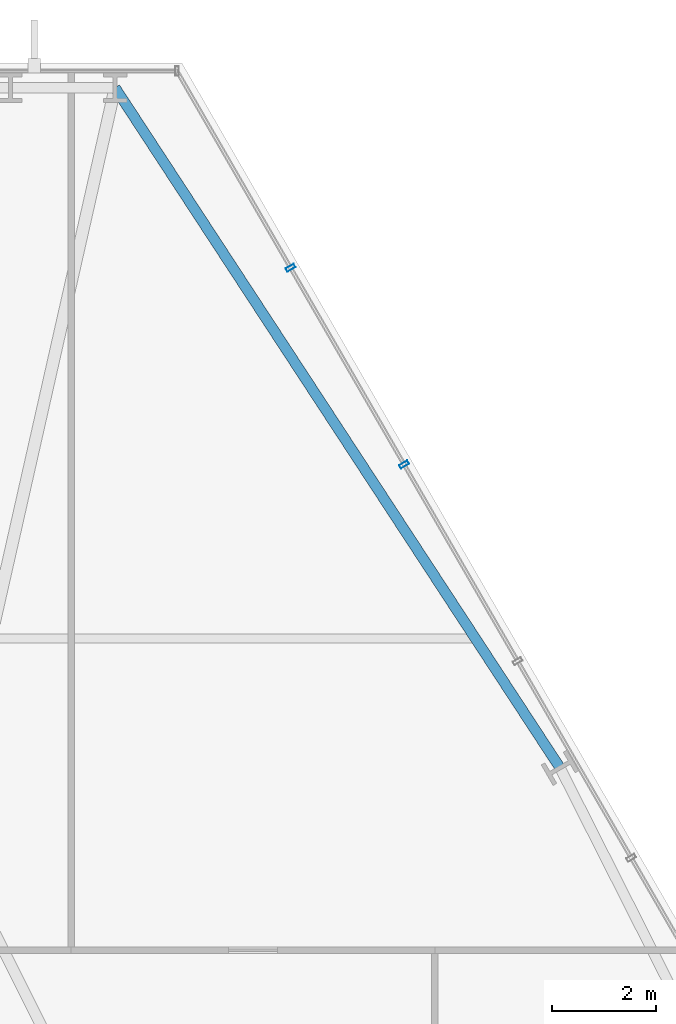
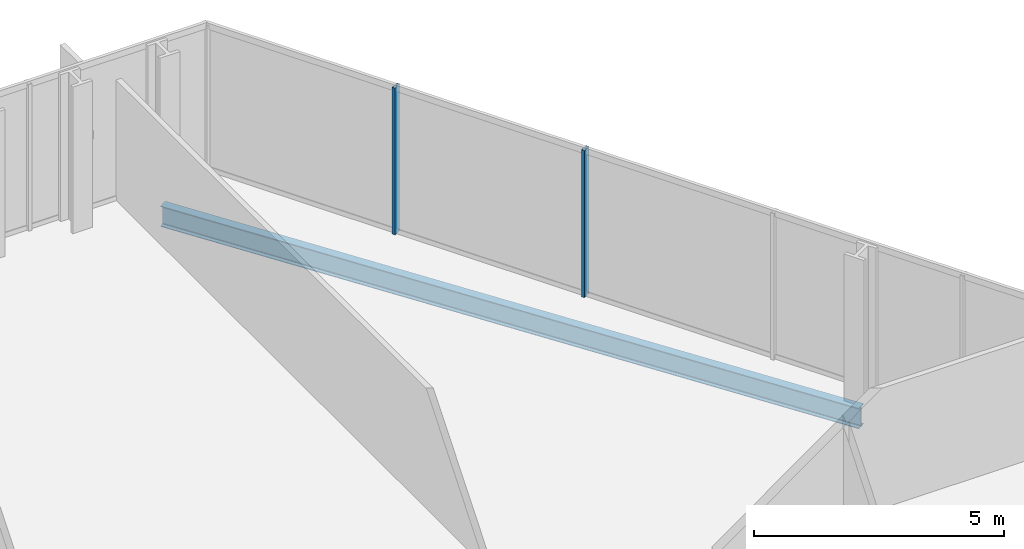
# One storey, part 25 of 33: 2 members, 1 beam, 1 element without a shape of its own.
"""IFC4 building model written with IfcOpenShell, lengths in metres."""

from ifc_helpers import new_model, si_unit, direction, frame, origin, origin_2d, place, context, subcontext, project, spatial, hollow_rectangle, i_section, extrude, material, layer, layer_set, material_profile, profile_set, type_object, element, aggregate, save


model = new_model("IFC4")

# Units and contexts
model_context = context("Model", 3, precision=1e-05, world=origin(), true_north=direction((0.0, 1.0)))
body_context = subcontext(model_context, "Body", "Model", "MODEL_VIEW")
ifc_project = project(units=[si_unit("LENGTHUNIT", "METRE"), si_unit("AREAUNIT", "SQUARE_METRE"), si_unit("VOLUMEUNIT", "CUBIC_METRE"), si_unit("PLANEANGLEUNIT", "RADIAN"), si_unit("MASSUNIT", "GRAM", prefix="KILO")], contexts=[model_context])

# Site, building, storey
site_placement = place(None, origin())
site = spatial("IfcSite", under=ifc_project, at=site_placement, CompositionType="ELEMENT")
building_placement = place(site_placement, origin())
building = spatial("IfcBuilding", under=site, at=building_placement, Name="Ndaravel Arena Tower", CompositionType="ELEMENT")
storey_placement = place(building_placement, frame((0.0, 0.0, 39.800048828125)))
storey = spatial("IfcBuildingStorey", under=building, at=storey_placement, Name="L07", CompositionType="ELEMENT", Elevation=39.800048828125)

# Beam
ifc_material_1 = material(Name="Steel S355", Category="steel")
ifc_material_profile_1 = material_profile(ifc_material_1, i_section(OverallWidth=0.199951171875, OverallDepth=0.5, WebThickness=0.01025390625, FlangeThickness=0.01611328125, FilletRadius=0.02099609375, at=origin_2d()), Name="IPE 500")
ifc_profile_set_1 = profile_set([ifc_material_profile_1], Name="Steel S355")
beam_type = type_object("IfcBeamType", Name="BM-SPAN-IPE500", PredefinedType="SPANDREL", material=ifc_profile_set_1)
beam_placement = place(storey_placement, frame((57.605712890625, 32.510009765625, -0.469970703125), z_axis=(-0.547517816718, 0.83679402506, 0.0), x_axis=(-0.83679402506, -0.547517816718, 0.0)))
element("IfcBeam", 1, at=beam_placement, inside=storey, type_object=beam_type, Name="L07 Perimeter Spandrel Beam SP-10", PredefinedType="SPANDREL", context=body_context, shape_type="SweptSolid", body=[
    extrude(i_section(OverallWidth=0.199951171875, OverallDepth=0.5, WebThickness=0.01025390625, FlangeThickness=0.01611328125, FilletRadius=0.02099609375, at=origin_2d()), origin(), (0.0, 0.0, 1.0), 15.631103515625),
])

# Curtain wall, members
ifc_material_2 = material(Name="Aluminium", Category="aluminium")
ifc_layer = layer(ifc_material_2, 0.179931640625)
ifc_layer_set = layer_set([ifc_layer], Name="Aluminium")
curtain_wall_type = type_object("IfcCurtainWallType", Name="CW-SYS-03", PredefinedType="NOTDEFINED", material=ifc_layer_set)
curtain_wall_placement = place(storey_placement, origin())
curtain_wall = element("IfcCurtainWall", 2, at=curtain_wall_placement, inside=storey, type_object=curtain_wall_type, Name="L07 Faceted Crystal Curtain Wall CW-L07-E03", PredefinedType="NOTDEFINED")
ifc_material_3 = material(Name="Aluminium", Category="aluminium")
ifc_material_profile_2 = material_profile(ifc_material_3, hollow_rectangle(XDim=0.074951171875, YDim=0.179931640625, WallThickness=0.00390625, at=origin_2d()), Name="CW MULLION 75x180x4")
ifc_profile_set_2 = profile_set([ifc_material_profile_2], Name="Aluminium")
member_type = type_object("IfcMemberType", Name="MEM-CW-MUL180", PredefinedType="MULLION", material=ifc_profile_set_2)
member_1_placement = place(storey_placement, frame((54.60693359375, 38.34423828125, 0.0), z_axis=(0.0, 0.0, 1.0), x_axis=(-0.5, 0.866025403784, 0.0)))
member_1 = element("IfcMember", 3, at=member_1_placement, type_object=member_type, Name="CW-L07-E03 Mullion 05", PredefinedType="MULLION", context=body_context, shape_type="SweptSolid", body=[
    extrude(hollow_rectangle(XDim=0.074951171875, YDim=0.179931640625, WallThickness=0.00390625, at=origin_2d()), origin(), (0.0, 0.0, 1.0), 3.579833984375),
])
member_2_placement = place(storey_placement, frame((52.4228515625, 42.127197265625, 0.0), z_axis=(0.0, 0.0, 1.0), x_axis=(-0.5, 0.866025403784, 0.0)))
member_2 = element("IfcMember", 4, at=member_2_placement, type_object=member_type, Name="CW-L07-E03 Mullion 06", PredefinedType="MULLION", context=body_context, shape_type="SweptSolid", body=[
    extrude(hollow_rectangle(XDim=0.074951171875, YDim=0.179931640625, WallThickness=0.00390625, at=origin_2d()), origin(), (0.0, 0.0, 1.0), 3.579833984375),
])
aggregate(curtain_wall, [member_1, member_2])

save(model, "model.ifc")
